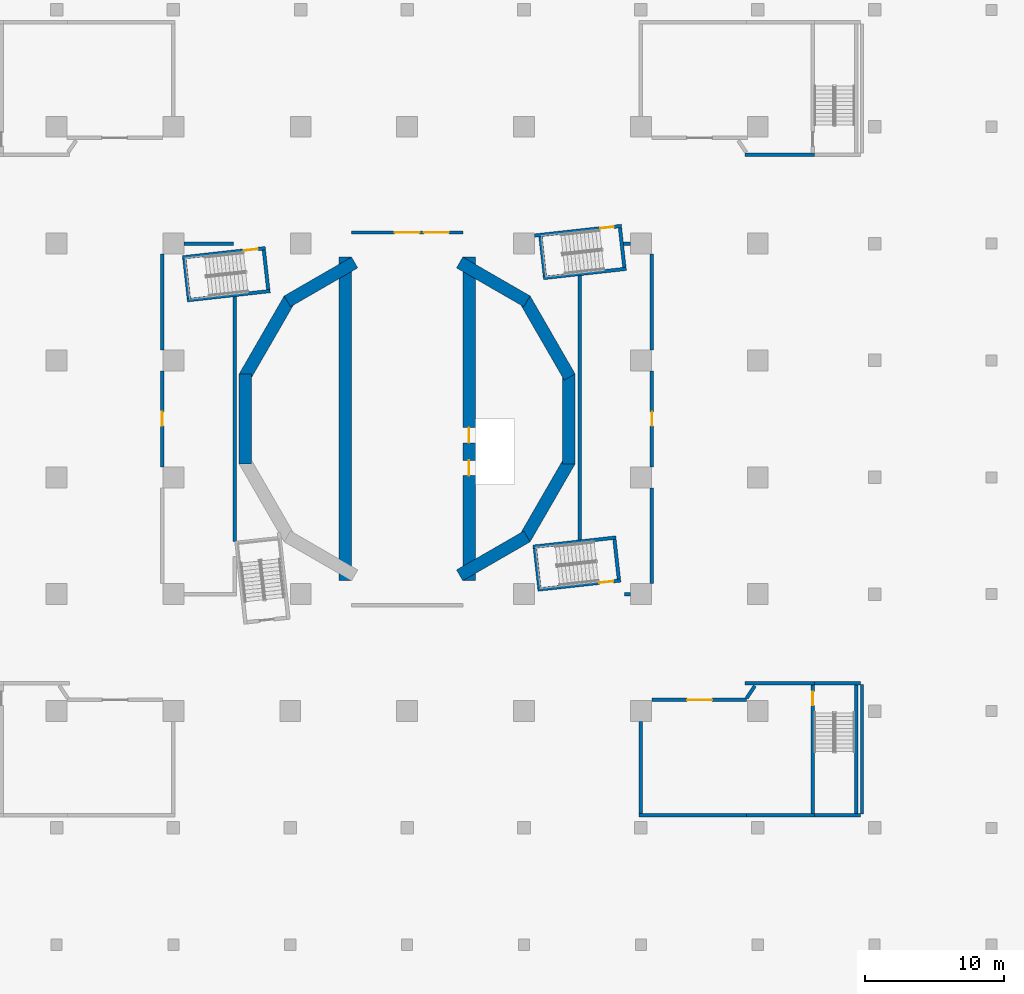
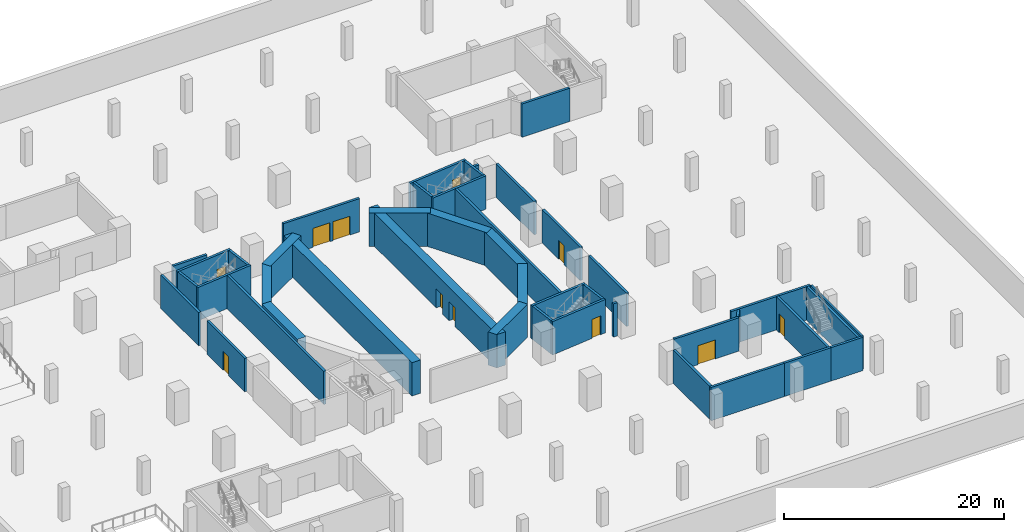
# One storey, part 6 of 18: 45 walls, 11 doors, 11 openings.
"""IFC4 building model written with IfcOpenShell, lengths in metres."""

from ifc_helpers import new_model, si_unit, direction, frame, frame_2d, origin, place, context, subcontext, project, spatial, rectangle, extrude, material, layer, layer_set, type_object, element, fill, save


model = new_model("IFC4")

# Units and contexts
model_context = context("Model", 3, precision=1e-05, world=origin(), true_north=direction((0.0, 1.0)))
body_context = subcontext(model_context, "Body", "Model", "MODEL_VIEW")
ifc_project = project(units=[si_unit("LENGTHUNIT", "METRE"), si_unit("AREAUNIT", "SQUARE_METRE"), si_unit("VOLUMEUNIT", "CUBIC_METRE"), si_unit("PLANEANGLEUNIT", "RADIAN"), si_unit("MASSUNIT", "GRAM", prefix="KILO")], contexts=[model_context])

# Site, building, storey
site_placement = place(None, origin())
site = spatial("IfcSite", under=ifc_project, at=site_placement, CompositionType="ELEMENT")
building_placement = place(site_placement, origin())
building = spatial("IfcBuilding", under=site, at=building_placement, Name="Cantera Rosa Tower", CompositionType="ELEMENT")
storey_placement = place(building_placement, frame((0.0, 0.0, -13.0)))
storey = spatial("IfcBuildingStorey", under=building, at=storey_placement, Name="B3", CompositionType="ELEMENT", Elevation=-13.0)

# Walls
ifc_material_1 = material(Name="Masonry blockwork", Category="masonry")
ifc_layer_1 = layer(ifc_material_1, 0.199951171875)
ifc_layer_set_1 = layer_set([ifc_layer_1], Name="Blockwork partition 200")
wall_type_1 = type_object("IfcWallType", Name="Blockwork partition 200", PredefinedType="PARTITIONING", material=ifc_layer_set_1)
wall_1_placement = place(storey_placement, frame((32.699951171875, -28.39990234375, 0.0), z_axis=(0.0, 0.0, 1.0), x_axis=(0.0, 1.0, 0.0)))
element("IfcWall", 1, at=wall_1_placement, inside=storey, type_object=wall_type_1, Name="Partition B3-32", PredefinedType="PARTITIONING", context=body_context, shape_type="SweptSolid", body=[
    extrude(rectangle(XDim=9.2998046875, YDim=0.199951171875, at=frame_2d((4.64990234375, 0.0))), origin(), (0.0, 0.0, 1.0), 3.699951171875),
])
ifc_material_2 = material(Name="Concrete C70/85", Category="concrete")
ifc_layer_2 = layer(ifc_material_2, 0.89990234375)
ifc_layer_set_2 = layer_set([ifc_layer_2], Name="Drum wall 900")
wall_type_2 = type_object("IfcWallType", Name="Drum wall 900", PredefinedType="SHEAR", material=ifc_layer_set_2)
wall_2_placement = place(storey_placement, frame((-11.6240234375, -3.2353515625, 0.0), z_axis=(0.0, 0.0, 1.0), x_axis=(0.0, 1.0, 0.0)))
element("IfcWall", 2, at=wall_2_placement, inside=storey, type_object=wall_type_2, Name="Drum wall west 3 B3", PredefinedType="SHEAR", context=body_context, shape_type="SweptSolid", body=[
    extrude(rectangle(XDim=6.470703125, YDim=0.89990234375, at=frame_2d((3.2353515625, 0.0))), origin(), (0.0, 0.0, 1.0), 3.699951171875),
])
wall_3_placement = place(storey_placement, frame((-11.684326171875, 3.01025390625, 0.0), z_axis=(0.0, 0.0, 1.0), x_axis=(0.499990282633, 0.866031014036, 0.0)))
element("IfcWall", 3, at=wall_3_placement, inside=storey, type_object=wall_type_2, Name="Drum wall west 4 B3", PredefinedType="SHEAR", context=body_context, shape_type="SweptSolid", body=[
    extrude(rectangle(XDim=6.470458984375, YDim=0.89990234375, at=frame_2d((3.2353515625, 0.0))), origin(), (0.0, 0.0, 1.0), 3.699951171875),
])
wall_4_placement = place(storey_placement, frame((-8.61376953125, 8.44921875, 0.0), z_axis=(0.0, 0.0, 1.0), x_axis=(0.866026961591, 0.49999730179, 0.0)))
element("IfcWall", 4, at=wall_4_placement, inside=storey, type_object=wall_type_2, Name="Drum wall west 5 B3", PredefinedType="SHEAR", context=body_context, shape_type="SweptSolid", body=[
    extrude(rectangle(XDim=5.58740234375, YDim=0.89990234375, at=frame_2d((2.793701171875, 0.0))), origin(), (0.0, 0.0, 1.0), 3.699951171875),
])
wall_5_placement = place(storey_placement, frame((-4.449951171875, 11.632568359375, 0.0), z_axis=(0.0, 0.0, 1.0), x_axis=(0.0, -1.0, 0.0)))
element("IfcWall", 5, at=wall_5_placement, inside=storey, type_object=wall_type_2, Name="Drum wall west 6 B3", PredefinedType="SHEAR", context=body_context, shape_type="SweptSolid", body=[
    extrude(rectangle(XDim=23.26513671875, YDim=0.89990234375, at=frame_2d((11.632568359375, 0.0))), origin(), (0.0, 0.0, 1.0), 3.699951171875),
])
wall_6_placement = place(storey_placement, frame((3.77490234375, 11.242919921875, 0.0), z_axis=(0.0, 0.0, 1.0), x_axis=(0.866026961591, -0.49999730179, 0.0)))
element("IfcWall", 6, at=wall_6_placement, inside=storey, type_object=wall_type_2, Name="Drum wall east 1 B3", PredefinedType="SHEAR", context=body_context, shape_type="SweptSolid", body=[
    extrude(rectangle(XDim=5.58740234375, YDim=0.89990234375, at=frame_2d((2.793701171875, 0.0))), origin(), (0.0, 0.0, 1.0), 3.699951171875),
])
wall_7_placement = place(storey_placement, frame((8.44921875, 8.61376953125, 0.0), z_axis=(0.0, 0.0, 1.0), x_axis=(0.499990282633, -0.866031014036, 0.0)))
element("IfcWall", 7, at=wall_7_placement, inside=storey, type_object=wall_type_2, Name="Drum wall east 2 B3", PredefinedType="SHEAR", context=body_context, shape_type="SweptSolid", body=[
    extrude(rectangle(XDim=6.470458984375, YDim=0.89990234375, at=frame_2d((3.2353515625, 0.0))), origin(), (0.0, 0.0, 1.0), 3.699951171875),
])
wall_8_placement = place(storey_placement, frame((11.6240234375, 3.2353515625, 0.0), z_axis=(0.0, 0.0, 1.0), x_axis=(0.0, -1.0, 0.0)))
element("IfcWall", 8, at=wall_8_placement, inside=storey, type_object=wall_type_2, Name="Drum wall east 3 B3", PredefinedType="SHEAR", context=body_context, shape_type="SweptSolid", body=[
    extrude(rectangle(XDim=6.470703125, YDim=0.89990234375, at=frame_2d((3.2353515625, 0.0))), origin(), (0.0, 0.0, 1.0), 3.699951171875),
])
wall_9_placement = place(storey_placement, frame((11.684326171875, -3.01025390625, 0.0), z_axis=(0.0, 0.0, 1.0), x_axis=(-0.499990282633, -0.866031014036, 0.0)))
element("IfcWall", 9, at=wall_9_placement, inside=storey, type_object=wall_type_2, Name="Drum wall east 4 B3", PredefinedType="SHEAR", context=body_context, shape_type="SweptSolid", body=[
    extrude(rectangle(XDim=6.470458984375, YDim=0.89990234375, at=frame_2d((3.2353515625, 0.0))), origin(), (0.0, 0.0, 1.0), 3.699951171875),
])
wall_10_placement = place(storey_placement, frame((8.61376953125, -8.44921875, 0.0), z_axis=(0.0, 0.0, 1.0), x_axis=(-0.866026961591, -0.49999730179, 0.0)))
element("IfcWall", 10, at=wall_10_placement, inside=storey, type_object=wall_type_2, Name="Drum wall east 5 B3", PredefinedType="SHEAR", context=body_context, shape_type="SweptSolid", body=[
    extrude(rectangle(XDim=5.58740234375, YDim=0.89990234375, at=frame_2d((2.793701171875, 0.0))), origin(), (0.0, 0.0, 1.0), 3.699951171875),
])

# Wall, openings, doors
wall_11_placement = place(storey_placement, frame((4.449951171875, -11.632568359375, 0.0), z_axis=(0.0, 0.0, 1.0), x_axis=(0.0, 1.0, 0.0)))
wall_11 = element("IfcWall", 11, at=wall_11_placement, inside=storey, type_object=wall_type_2, Name="Drum wall east 6 B3", PredefinedType="SHEAR", context=body_context, shape_type="SweptSolid", body=[
    extrude(rectangle(XDim=23.26513671875, YDim=0.89990234375, at=frame_2d((11.632568359375, 0.0))), origin(), (0.0, 0.0, 1.0), 3.699951171875),
])
opening_1_placement = place(wall_11_placement, frame((7.5576171875, 0.0, 0.0)))
opening_1 = element("IfcOpeningElement", 12, at=opening_1_placement, cuts=wall_11, Name="Opening LD-FF1-B3", PredefinedType="OPENING", context=body_context, shape_type="SweptSolid", body=[
    extrude(rectangle(XDim=1.10009765625, YDim=2.10009765625, at=frame_2d((0.550048828125, 1.050048828125))), frame((0.0, 0.4599609375, 0.0), z_axis=(0.0, -1.0, 0.0), x_axis=(1.0, 0.0, 0.0)), (0.0, 0.0, 1.0), 0.919921875),
])
opening_2_placement = place(wall_11_placement, frame((9.907470703125, 0.0, 0.0)))
opening_2 = element("IfcOpeningElement", 13, at=opening_2_placement, cuts=wall_11, Name="Opening LD-FF2-B3", PredefinedType="OPENING", context=body_context, shape_type="SweptSolid", body=[
    extrude(rectangle(XDim=1.10009765625, YDim=2.10009765625, at=frame_2d((0.550048828125, 1.050048828125))), frame((0.0, 0.4599609375, 0.0), z_axis=(0.0, -1.0, 0.0), x_axis=(1.0, 0.0, 0.0)), (0.0, 0.0, 1.0), 0.919921875),
])
ifc_material_3 = material(Name="Steel S355J2 (EN 10025-2)", Category="steel")
door_type_1 = type_object("IfcDoorType", Name="LANDING DOOR 1100x2100", OperationType="NOTDEFINED", PredefinedType="DOOR", material=ifc_material_3)
door_1_placement = place(opening_1_placement, origin())
door_1 = element("IfcDoor", 14, at=door_1_placement, inside=storey, type_object=door_type_1, Name="LANDING DOOR FF1 B3", OperationType="SLIDING_TO_LEFT", OverallHeight=2.10009765625, OverallWidth=1.10009765625, PredefinedType="DOOR", context=body_context, shape_type="SweptSolid", body=[
    extrude(rectangle(XDim=1.10009765625, YDim=2.10009765625, at=frame_2d((0.550048828125, 1.050048828125))), frame((0.0, 0.02490234375, 0.0), z_axis=(0.0, -1.0, 0.0), x_axis=(1.0, 0.0, 0.0)), (0.0, 0.0, 1.0), 0.050048828125),
])
fill(opening_1, door_1)
door_2_placement = place(opening_2_placement, origin())
door_2 = element("IfcDoor", 15, at=door_2_placement, inside=storey, type_object=door_type_1, Name="LANDING DOOR FF2 B3", OperationType="SLIDING_TO_LEFT", OverallHeight=2.10009765625, OverallWidth=1.10009765625, PredefinedType="DOOR", context=body_context, shape_type="SweptSolid", body=[
    extrude(rectangle(XDim=1.10009765625, YDim=2.10009765625, at=frame_2d((0.550048828125, 1.050048828125))), frame((0.0, 0.02490234375, 0.0), z_axis=(0.0, -1.0, 0.0), x_axis=(1.0, 0.0, 0.0)), (0.0, 0.0, 1.0), 0.050048828125),
])
fill(opening_2, door_2)

# Walls
ifc_material_4 = material(Name="Concrete C50/60", Category="concrete")
ifc_layer_3 = layer(ifc_material_4, 0.25)
ifc_layer_set_3 = layer_set([ifc_layer_3], Name="External stair wall 250")
wall_type_3 = type_object("IfcWallType", Name="External stair wall 250", PredefinedType="SOLIDWALL", material=ifc_layer_set_3)
for number, where, z_axis, x_axis, name in (
    (16, (29.27490234375, -19.0, 0.0), (0.0, 0.0, 1.0), (1.0, 0.0, 0.0), "Stair wall B3-54"),
    (17, (32.60009765625, -28.5, 0.0), (0.0, 0.0, 1.0), (-1.0, 0.0, 0.0), "Stair wall B3-61"),
):
    element("IfcWall", number, at=place(storey_placement, frame(where, z_axis=z_axis, x_axis=x_axis)), inside=storey, type_object=wall_type_3, Name=name, PredefinedType="SOLIDWALL", context=body_context, shape_type="SweptSolid", body=[
        extrude(rectangle(XDim=3.3251953125, YDim=0.25, at=frame_2d((1.66259765625, 0.0))), origin(), (0.0, 0.0, 1.0), 3.699951171875),
    ])
ifc_material_5 = material(Name="Masonry blockwork", Category="masonry")
ifc_layer_4 = layer(ifc_material_5, 0.25)
ifc_layer_set_4 = layer_set([ifc_layer_4], Name="Fire-rated external wall 250")
wall_type_4 = type_object("IfcWallType", Name="Fire-rated external wall 250", PredefinedType="PARTITIONING", material=ifc_layer_set_4)
wall_12_placement = place(storey_placement, frame((15.613525390625, -12.60009765625, 0.0), z_axis=(0.0, 0.0, 1.0), x_axis=(1.0, 0.0, 0.0)))
element("IfcWall", 18, at=wall_12_placement, inside=storey, type_object=wall_type_4, Name="Fire wall B3-7", PredefinedType="PARTITIONING", context=body_context, shape_type="SweptSolid", body=[
    extrude(rectangle(XDim=0.4365234375, YDim=0.25, at=frame_2d((0.21826171875, 0.0))), origin(), (0.0, 0.0, 1.0), 3.699951171875),
])
wall_13_placement = place(storey_placement, frame((12.39990234375, -8.6923828125, 0.0), z_axis=(0.0, 0.0, 1.0), x_axis=(0.0, 1.0, 0.0)))
element("IfcWall", 19, at=wall_13_placement, inside=storey, type_object=wall_type_4, Name="Fire wall B3-8", PredefinedType="PARTITIONING", context=body_context, shape_type="SweptSolid", body=[
    extrude(rectangle(XDim=18.98486328125, YDim=0.25, at=frame_2d((9.492431640625, 0.0))), origin(), (0.0, 0.0, 1.0), 3.699951171875),
])
wall_14_placement = place(storey_placement, frame((-16.050048828125, 12.60009765625, 0.0), z_axis=(0.0, 0.0, 1.0), x_axis=(1.0, 0.0, 0.0)))
element("IfcWall", 20, at=wall_14_placement, inside=storey, type_object=wall_type_4, Name="Fire wall B3-9", PredefinedType="PARTITIONING", context=body_context, shape_type="SweptSolid", body=[
    extrude(rectangle(XDim=3.560546875, YDim=0.25, at=frame_2d((1.7802734375, 0.0))), origin(), (0.0, 0.0, 1.0), 3.699951171875),
])
wall_15_placement = place(storey_placement, frame((15.5517578125, 12.60009765625, 0.0), z_axis=(0.0, 0.0, 1.0), x_axis=(1.0, 0.0, 0.0)))
element("IfcWall", 21, at=wall_15_placement, inside=storey, type_object=wall_type_4, Name="Fire wall B3-10", PredefinedType="PARTITIONING", context=body_context, shape_type="SweptSolid", body=[
    extrude(rectangle(XDim=0.498291015625, YDim=0.25, at=frame_2d((0.2490234375, 0.0))), origin(), (0.0, 0.0, 1.0), 3.699951171875),
])
wall_16_placement = place(storey_placement, frame((-12.39990234375, -8.7998046875, 0.0), z_axis=(0.0, 0.0, 1.0), x_axis=(0.0, 1.0, 0.0)))
element("IfcWall", 22, at=wall_16_placement, inside=storey, type_object=wall_type_4, Name="Fire wall B3-15", PredefinedType="PARTITIONING", context=body_context, shape_type="SweptSolid", body=[
    extrude(rectangle(XDim=17.5810546875, YDim=0.25, at=frame_2d((8.79052734375, 0.0))), origin(), (0.0, 0.0, 1.0), 3.699951171875),
])
wall_17_placement = place(storey_placement, frame((24.27490234375, 19.0, 0.0), z_axis=(0.0, 0.0, 1.0), x_axis=(1.0, 0.0, 0.0)))
element("IfcWall", 23, at=wall_17_placement, inside=storey, type_object=wall_type_4, Name="Fire wall B3-30", PredefinedType="PARTITIONING", context=body_context, shape_type="SweptSolid", body=[
    extrude(rectangle(XDim=5.0, YDim=0.25, at=frame_2d((2.5, 0.0))), origin(), (0.0, 0.0, 1.0), 3.699951171875),
])
wall_18_placement = place(storey_placement, frame((16.800048828125, -28.375, 0.0), z_axis=(0.0, 0.0, 1.0), x_axis=(0.0, 1.0, 0.0)))
element("IfcWall", 24, at=wall_18_placement, inside=storey, type_object=wall_type_4, Name="Fire wall B3-34", PredefinedType="PARTITIONING", context=body_context, shape_type="SweptSolid", body=[
    extrude(rectangle(XDim=6.625, YDim=0.25, at=frame_2d((3.3125, 0.0))), origin(), (0.0, 0.0, 1.0), 3.699951171875),
])
wall_19_placement = place(storey_placement, frame((24.27490234375, -19.0, 0.0), z_axis=(0.0, 0.0, 1.0), x_axis=(1.0, 0.0, 0.0)))
element("IfcWall", 25, at=wall_19_placement, inside=storey, type_object=wall_type_4, Name="Fire wall B3-53", PredefinedType="PARTITIONING", context=body_context, shape_type="SweptSolid", body=[
    extrude(rectangle(XDim=5.0, YDim=0.25, at=frame_2d((2.5, 0.0))), origin(), (0.0, 0.0, 1.0), 3.699951171875),
])
wall_20_placement = place(storey_placement, frame((16.675048828125, -28.5, 0.0), z_axis=(0.0, 0.0, 1.0), x_axis=(1.0, 0.0, 0.0)))
element("IfcWall", 26, at=wall_20_placement, inside=storey, type_object=wall_type_4, Name="Fire wall B3-59", PredefinedType="PARTITIONING", context=body_context, shape_type="SweptSolid", body=[
    extrude(rectangle(XDim=7.724853515625, YDim=0.25, at=frame_2d((3.8623046875, 0.0))), origin(), (0.0, 0.0, 1.0), 3.699951171875),
])
wall_21_placement = place(storey_placement, frame((24.39990234375, -28.5, 0.0), z_axis=(0.0, 0.0, 1.0), x_axis=(1.0, 0.0, 0.0)))
element("IfcWall", 27, at=wall_21_placement, inside=storey, type_object=wall_type_4, Name="Fire wall B3-60", PredefinedType="PARTITIONING", context=body_context, shape_type="SweptSolid", body=[
    extrude(rectangle(XDim=4.875, YDim=0.25, at=frame_2d((2.4375, 0.0))), origin(), (0.0, 0.0, 1.0), 3.699951171875),
])

# Wall, openings, doors
ifc_material_6 = material(Name="Masonry blockwork", Category="masonry")
ifc_layer_5 = layer(ifc_material_6, 0.25)
ifc_layer_set_5 = layer_set([ifc_layer_5], Name="Fire-rated wall 250")
wall_type_5 = type_object("IfcWallType", Name="Fire-rated wall 250", PredefinedType="PARTITIONING", material=ifc_layer_set_5)
wall_22_placement = place(storey_placement, frame((-4.0, 13.39990234375, 0.0), z_axis=(0.0, 0.0, 1.0), x_axis=(1.0, 0.0, 0.0)))
wall_22 = element("IfcWall", 28, at=wall_22_placement, inside=storey, type_object=wall_type_5, Name="Fire wall B3-1", PredefinedType="PARTITIONING", context=body_context, shape_type="SweptSolid", body=[
    extrude(rectangle(XDim=8.0, YDim=0.25, at=frame_2d((4.0, 0.0))), origin(), (0.0, 0.0, 1.0), 3.699951171875),
])
opening_3_placement = place(wall_22_placement, frame((3.10009765625, 0.0, 0.0)))
opening_3 = element("IfcOpeningElement", 29, at=opening_3_placement, cuts=wall_22, Name="Opening B3-009", PredefinedType="OPENING", context=body_context, shape_type="SweptSolid", body=[
    extrude(rectangle(XDim=1.800048828125, YDim=2.10009765625, at=frame_2d((0.89990234375, 1.050048828125))), frame((0.0, 0.135009765625, 0.0), z_axis=(0.0, -1.0, 0.0), x_axis=(1.0, 0.0, 0.0)), (0.0, 0.0, 1.0), 0.27001953125),
])
opening_4_placement = place(wall_22_placement, frame((5.199951171875, 0.0, 0.0)))
opening_4 = element("IfcOpeningElement", 30, at=opening_4_placement, cuts=wall_22, Name="Opening B3-010", PredefinedType="OPENING", context=body_context, shape_type="SweptSolid", body=[
    extrude(rectangle(XDim=1.800048828125, YDim=2.10009765625, at=frame_2d((0.89990234375, 1.050048828125))), frame((0.0, 0.135009765625, 0.0), z_axis=(0.0, -1.0, 0.0), x_axis=(1.0, 0.0, 0.0)), (0.0, 0.0, 1.0), 0.27001953125),
])
ifc_material_7 = material(Name="Steel S355J2 (EN 10025-2)", Category="steel")
door_type_2 = type_object("IfcDoorType", Name="Fire double door 1800x2100", OperationType="NOTDEFINED", PredefinedType="DOOR", material=ifc_material_7)
door_3_placement = place(opening_3_placement, origin())
door_3 = element("IfcDoor", 31, at=door_3_placement, inside=storey, type_object=door_type_2, Name="Door B3-009", OperationType="DOUBLE_DOOR_SINGLE_SWING", OverallHeight=2.10009765625, OverallWidth=1.800048828125, PredefinedType="DOOR", context=body_context, shape_type="SweptSolid", body=[
    extrude(rectangle(XDim=1.800048828125, YDim=2.10009765625, at=frame_2d((0.89990234375, 1.050048828125))), frame((0.0, 0.02490234375, 0.0), z_axis=(0.0, -1.0, 0.0), x_axis=(1.0, 0.0, 0.0)), (0.0, 0.0, 1.0), 0.050048828125),
])
fill(opening_3, door_3)
door_4_placement = place(opening_4_placement, origin())
door_4 = element("IfcDoor", 32, at=door_4_placement, inside=storey, type_object=door_type_2, Name="Door B3-010", OperationType="DOUBLE_DOOR_SINGLE_SWING", OverallHeight=2.10009765625, OverallWidth=1.800048828125, PredefinedType="DOOR", context=body_context, shape_type="SweptSolid", body=[
    extrude(rectangle(XDim=1.800048828125, YDim=2.10009765625, at=frame_2d((0.89990234375, 1.050048828125))), frame((0.0, 0.02490234375, 0.0), z_axis=(0.0, -1.0, 0.0), x_axis=(1.0, 0.0, 0.0)), (0.0, 0.0, 1.0), 0.050048828125),
])
fill(opening_4, door_4)

# Wall
wall_23_placement = place(storey_placement, frame((17.60009765625, -11.85009765625, 0.0), z_axis=(0.0, 0.0, 1.0), x_axis=(0.0, 1.0, 0.0)))
element("IfcWall", 33, at=wall_23_placement, inside=storey, type_object=wall_type_5, Name="Fire wall B3-3", PredefinedType="PARTITIONING", context=body_context, shape_type="SweptSolid", body=[
    extrude(rectangle(XDim=6.900146484375, YDim=0.25, at=frame_2d((3.4501953125, 0.0))), origin(), (0.0, 0.0, 1.0), 3.699951171875),
])

# Wall, opening, door
wall_24_placement = place(storey_placement, frame((17.60009765625, -3.449951171875, 0.0), z_axis=(0.0, 0.0, 1.0), x_axis=(0.0, 1.0, 0.0)))
wall_24 = element("IfcWall", 34, at=wall_24_placement, inside=storey, type_object=wall_type_5, Name="Fire wall B3-4", PredefinedType="PARTITIONING", context=body_context, shape_type="SweptSolid", body=[
    extrude(rectangle(XDim=6.89990234375, YDim=0.25, at=frame_2d((3.449951171875, 0.0))), origin(), (0.0, 0.0, 1.0), 3.699951171875),
])
opening_5_placement = place(wall_24_placement, frame((2.949951171875, 0.0, 0.0)))
opening_5 = element("IfcOpeningElement", 35, at=opening_5_placement, cuts=wall_24, Name="Opening B3-011", PredefinedType="OPENING", context=body_context, shape_type="SweptSolid", body=[
    extrude(rectangle(XDim=1.0, YDim=2.10009765625, at=frame_2d((0.5, 1.050048828125))), frame((0.0, 0.135009765625, 0.0), z_axis=(0.0, -1.0, 0.0), x_axis=(1.0, 0.0, 0.0)), (0.0, 0.0, 1.0), 0.27001953125),
])
ifc_material_8 = material(Name="Steel S355J2 (EN 10025-2)", Category="steel")
door_type_3 = type_object("IfcDoorType", Name="Fire door 1000x2100", OperationType="NOTDEFINED", PredefinedType="DOOR", material=ifc_material_8)
door_5_placement = place(opening_5_placement, origin())
door_5 = element("IfcDoor", 36, at=door_5_placement, inside=storey, type_object=door_type_3, Name="Door B3-011", OverallHeight=2.10009765625, OverallWidth=1.0, PredefinedType="DOOR", context=body_context, shape_type="SweptSolid", body=[
    extrude(rectangle(XDim=1.0, YDim=2.10009765625, at=frame_2d((0.5, 1.050048828125))), frame((0.0, 0.02490234375, 0.0), z_axis=(0.0, -1.0, 0.0), x_axis=(1.0, 0.0, 0.0)), (0.0, 0.0, 1.0), 0.050048828125),
])
fill(opening_5, door_5)

# Wall
wall_25_placement = place(storey_placement, frame((17.60009765625, 4.949951171875, 0.0), z_axis=(0.0, 0.0, 1.0), x_axis=(0.0, 1.0, 0.0)))
element("IfcWall", 37, at=wall_25_placement, inside=storey, type_object=wall_type_5, Name="Fire wall B3-5", PredefinedType="PARTITIONING", context=body_context, shape_type="SweptSolid", body=[
    extrude(rectangle(XDim=6.900146484375, YDim=0.25, at=frame_2d((3.4501953125, 0.0))), origin(), (0.0, 0.0, 1.0), 3.699951171875),
])

# Wall, opening, door
wall_26_placement = place(storey_placement, frame((-17.60009765625, -3.449951171875, 0.0), z_axis=(0.0, 0.0, 1.0), x_axis=(0.0, 1.0, 0.0)))
wall_26 = element("IfcWall", 38, at=wall_26_placement, inside=storey, type_object=wall_type_5, Name="Fire wall B3-12", PredefinedType="PARTITIONING", context=body_context, shape_type="SweptSolid", body=[
    extrude(rectangle(XDim=6.89990234375, YDim=0.25, at=frame_2d((3.449951171875, 0.0))), origin(), (0.0, 0.0, 1.0), 3.699951171875),
])
opening_6_placement = place(wall_26_placement, frame((2.949951171875, 0.0, 0.0)))
opening_6 = element("IfcOpeningElement", 39, at=opening_6_placement, cuts=wall_26, Name="Opening B3-012", PredefinedType="OPENING", context=body_context, shape_type="SweptSolid", body=[
    extrude(rectangle(XDim=1.0, YDim=2.10009765625, at=frame_2d((0.5, 1.050048828125))), frame((0.0, 0.135009765625, 0.0), z_axis=(0.0, -1.0, 0.0), x_axis=(1.0, 0.0, 0.0)), (0.0, 0.0, 1.0), 0.27001953125),
])
door_6_placement = place(opening_6_placement, origin())
door_6 = element("IfcDoor", 40, at=door_6_placement, inside=storey, type_object=door_type_3, Name="Door B3-012", OverallHeight=2.10009765625, OverallWidth=1.0, PredefinedType="DOOR", context=body_context, shape_type="SweptSolid", body=[
    extrude(rectangle(XDim=1.0, YDim=2.10009765625, at=frame_2d((0.5, 1.050048828125))), frame((0.0, 0.02490234375, 0.0), z_axis=(0.0, -1.0, 0.0), x_axis=(1.0, 0.0, 0.0)), (0.0, 0.0, 1.0), 0.050048828125),
])
fill(opening_6, door_6)

# Walls
wall_27_placement = place(storey_placement, frame((-17.60009765625, 4.949951171875, 0.0), z_axis=(0.0, 0.0, 1.0), x_axis=(0.0, 1.0, 0.0)))
element("IfcWall", 41, at=wall_27_placement, inside=storey, type_object=wall_type_5, Name="Fire wall B3-13", PredefinedType="PARTITIONING", context=body_context, shape_type="SweptSolid", body=[
    extrude(rectangle(XDim=6.900146484375, YDim=0.25, at=frame_2d((3.4501953125, 0.0))), origin(), (0.0, 0.0, 1.0), 3.699951171875),
])
wall_28_placement = place(storey_placement, frame((24.39990234375, -20.074951171875, 0.0), z_axis=(0.0, 0.0, 1.0), x_axis=(0.559343029511, 0.828936291483, 0.0)))
element("IfcWall", 42, at=wall_28_placement, inside=storey, type_object=wall_type_5, Name="Fire wall B3-36", PredefinedType="PARTITIONING", context=body_context, shape_type="SweptSolid", body=[
    extrude(rectangle(XDim=1.06591796875, YDim=0.25, at=frame_2d((0.532958984375, 0.0))), origin(), (0.0, 0.0, 1.0), 3.699951171875),
])

# Wall, opening, door
wall_29_placement = place(storey_placement, frame((17.60009765625, -20.199951171875, 0.0), z_axis=(0.0, 0.0, 1.0), x_axis=(1.0, 0.0, 0.0)))
wall_29 = element("IfcWall", 43, at=wall_29_placement, inside=storey, type_object=wall_type_5, Name="Fire wall B3-63", PredefinedType="PARTITIONING", context=body_context, shape_type="SweptSolid", body=[
    extrude(rectangle(XDim=6.809814453125, YDim=0.25, at=frame_2d((3.40478515625, 0.0))), origin(), (0.0, 0.0, 1.0), 3.699951171875),
])
opening_7_placement = place(wall_29_placement, frame((2.52490234375, 0.0, 0.0)))
opening_7 = element("IfcOpeningElement", 44, at=opening_7_placement, cuts=wall_29, Name="Opening B3-005", PredefinedType="OPENING", context=body_context, shape_type="SweptSolid", body=[
    extrude(rectangle(XDim=1.800048828125, YDim=2.10009765625, at=frame_2d((0.89990234375, 1.050048828125))), frame((0.0, 0.135009765625, 0.0), z_axis=(0.0, -1.0, 0.0), x_axis=(1.0, 0.0, 0.0)), (0.0, 0.0, 1.0), 0.27001953125),
])
door_7_placement = place(opening_7_placement, origin())
door_7 = element("IfcDoor", 45, at=door_7_placement, inside=storey, type_object=door_type_2, Name="Door B3-005", OperationType="DOUBLE_DOOR_SINGLE_SWING", OverallHeight=2.10009765625, OverallWidth=1.800048828125, PredefinedType="DOOR", context=body_context, shape_type="SweptSolid", body=[
    extrude(rectangle(XDim=1.800048828125, YDim=2.10009765625, at=frame_2d((0.89990234375, 1.050048828125))), frame((0.0, 0.02490234375, 0.0), z_axis=(0.0, -1.0, 0.0), x_axis=(1.0, 0.0, 0.0)), (0.0, 0.0, 1.0), 0.050048828125),
])
fill(opening_7, door_7)

# Wall
ifc_material_9 = material(Name="Concrete C50/60", Category="concrete")
ifc_layer_6 = layer(ifc_material_9, 0.25)
ifc_layer_set_6 = layer_set([ifc_layer_6], Name="RC stair wall 250 C50/60")
wall_type_6 = type_object("IfcWallType", Name="RC stair wall 250", PredefinedType="SOLIDWALL", material=ifc_layer_set_6)
wall_30_placement = place(storey_placement, frame((32.300048828125, -28.375, 0.0), z_axis=(0.0, 0.0, 1.0), x_axis=(0.0, 1.0, 0.0)))
element("IfcWall", 46, at=wall_30_placement, inside=storey, type_object=wall_type_6, Name="Stair wall B3-16", PredefinedType="SOLIDWALL", context=body_context, shape_type="SweptSolid", body=[
    extrude(rectangle(XDim=9.25, YDim=0.25, at=frame_2d((4.625, 0.0))), origin(), (0.0, 0.0, 1.0), 3.699951171875),
])

# Wall, opening, door
wall_31_placement = place(storey_placement, frame((29.14990234375, -28.375, 0.0), z_axis=(0.0, 0.0, 1.0), x_axis=(0.0, 1.0, 0.0)))
wall_31 = element("IfcWall", 47, at=wall_31_placement, inside=storey, type_object=wall_type_6, Name="Stair wall B3-25", PredefinedType="SOLIDWALL", context=body_context, shape_type="SweptSolid", body=[
    extrude(rectangle(XDim=9.25, YDim=0.25, at=frame_2d((4.625, 0.0))), origin(), (0.0, 0.0, 1.0), 3.699951171875),
])
opening_8_placement = place(wall_31_placement, frame((7.77490234375, 0.0, 0.0)))
opening_8 = element("IfcOpeningElement", 48, at=opening_8_placement, cuts=wall_31, Name="Opening B3-006", PredefinedType="OPENING", context=body_context, shape_type="SweptSolid", body=[
    extrude(rectangle(XDim=1.0, YDim=2.10009765625, at=frame_2d((0.5, 1.050048828125))), frame((0.0, 0.135009765625, 0.0), z_axis=(0.0, -1.0, 0.0), x_axis=(1.0, 0.0, 0.0)), (0.0, 0.0, 1.0), 0.27001953125),
])
ifc_material_10 = material(Name="Steel S355J2 (EN 10025-2)", Category="steel")
door_type_4 = type_object("IfcDoorType", Name="Fire door 1000x2100 EI 120", OperationType="NOTDEFINED", PredefinedType="DOOR", material=ifc_material_10)
door_8_placement = place(opening_8_placement, origin())
door_8 = element("IfcDoor", 49, at=door_8_placement, inside=storey, type_object=door_type_4, Name="Door B3-006", OverallHeight=2.10009765625, OverallWidth=1.0, PredefinedType="DOOR", context=body_context, shape_type="SweptSolid", body=[
    extrude(rectangle(XDim=1.0, YDim=2.10009765625, at=frame_2d((0.5, 1.050048828125))), frame((0.0, 0.02490234375, 0.0), z_axis=(0.0, -1.0, 0.0), x_axis=(1.0, 0.0, 0.0)), (0.0, 0.0, 1.0), 0.050048828125),
])
fill(opening_8, door_8)

# Walls
wall_32_placement = place(storey_placement, frame((15.30029296875, 13.7333984375, 0.0), z_axis=(0.0, 0.0, 1.0), x_axis=(0.110252878147, -0.99390356819, 0.0)))
element("IfcWall", 50, at=wall_32_placement, inside=storey, type_object=wall_type_6, Name="Stair wall ST-11 B3-1", PredefinedType="SOLIDWALL", context=body_context, shape_type="SweptSolid", body=[
    extrude(rectangle(XDim=2.849853515625, YDim=0.25, at=frame_2d((1.4248046875, 0.0))), origin(), (0.0, 0.0, 1.0), 3.699951171875),
])
wall_33_placement = place(storey_placement, frame((15.752685546875, 10.790283203125, 0.0), z_axis=(0.0, 0.0, 1.0), x_axis=(-0.993897125329, -0.110310943534, 0.0)))
element("IfcWall", 51, at=wall_33_placement, inside=storey, type_object=wall_type_6, Name="Stair wall ST-11 B3-2", PredefinedType="SOLIDWALL", context=body_context, shape_type="SweptSolid", body=[
    extrude(rectangle(XDim=6.0, YDim=0.25, at=frame_2d((3.0, 0.0))), origin(), (0.0, 0.0, 1.0), 3.699951171875),
])
wall_34_placement = place(storey_placement, frame((9.899658203125, 10.2666015625, 0.0), z_axis=(0.0, 0.0, 1.0), x_axis=(-0.110252878147, 0.99390356819, 0.0)))
element("IfcWall", 52, at=wall_34_placement, inside=storey, type_object=wall_type_6, Name="Stair wall ST-11 B3-3", PredefinedType="SOLIDWALL", context=body_context, shape_type="SweptSolid", body=[
    extrude(rectangle(XDim=2.849853515625, YDim=0.25, at=frame_2d((1.4248046875, 0.0))), origin(), (0.0, 0.0, 1.0), 3.699951171875),
])

# Wall, opening, door
wall_35_placement = place(storey_placement, frame((9.162353515625, 13.177978515625, 0.0), z_axis=(0.0, 0.0, 1.0), x_axis=(0.993895095647, 0.110329229349, 0.0)))
wall_35 = element("IfcWall", 53, at=wall_35_placement, inside=storey, type_object=wall_type_6, Name="Stair wall ST-11 B3-4", PredefinedType="SOLIDWALL", context=body_context, shape_type="SweptSolid", body=[
    extrude(rectangle(XDim=6.28662109375, YDim=0.25, at=frame_2d((3.143310546875, 0.0))), origin(), (0.0, 0.0, 1.0), 3.699951171875),
])
opening_9_placement = place(wall_35_placement, frame((4.736572265625, 0.0, 0.0)))
opening_9 = element("IfcOpeningElement", 54, at=opening_9_placement, cuts=wall_35, Name="Opening B3-ST-11", PredefinedType="OPENING", context=body_context, shape_type="SweptSolid", body=[
    extrude(rectangle(XDim=1.0, YDim=2.10009765625, at=frame_2d((0.5, 1.050048828125))), frame((0.0, 0.135009765625, 0.0), z_axis=(0.0, -1.0, 0.0), x_axis=(1.0, 0.0, 0.0)), (0.0, 0.0, 1.0), 0.27001953125),
])
door_9_placement = place(opening_9_placement, origin())
door_9 = element("IfcDoor", 55, at=door_9_placement, inside=storey, type_object=door_type_4, Name="Door B3-ST-11", OverallHeight=2.10009765625, OverallWidth=1.0, PredefinedType="DOOR", context=body_context, shape_type="SweptSolid", body=[
    extrude(rectangle(XDim=1.0, YDim=2.10009765625, at=frame_2d((0.5, 1.050048828125))), frame((0.0, 0.02490234375, 0.0), z_axis=(0.0, -1.0, 0.0), x_axis=(1.0, 0.0, 0.0)), (0.0, 0.0, 1.0), 0.050048828125),
])
fill(opening_9, door_9)

# Walls
wall_36_placement = place(storey_placement, frame((-10.2998046875, 12.133544921875, 0.0), z_axis=(0.0, 0.0, 1.0), x_axis=(0.110328108544, -0.993895220063, 0.0)))
element("IfcWall", 56, at=wall_36_placement, inside=storey, type_object=wall_type_6, Name="Stair wall ST-12 B3-1", PredefinedType="SOLIDWALL", context=body_context, shape_type="SweptSolid", body=[
    extrude(rectangle(XDim=2.85009765625, YDim=0.25, at=frame_2d((1.425048828125, 0.0))), origin(), (0.0, 0.0, 1.0), 3.699951171875),
])
wall_37_placement = place(storey_placement, frame((-9.847412109375, 9.1904296875, 0.0), z_axis=(0.0, 0.0, 1.0), x_axis=(-0.993897125329, -0.110310943534, 0.0)))
element("IfcWall", 57, at=wall_37_placement, inside=storey, type_object=wall_type_6, Name="Stair wall ST-12 B3-2", PredefinedType="SOLIDWALL", context=body_context, shape_type="SweptSolid", body=[
    extrude(rectangle(XDim=6.0, YDim=0.25, at=frame_2d((3.0, 0.0))), origin(), (0.0, 0.0, 1.0), 3.699951171875),
])
wall_38_placement = place(storey_placement, frame((-15.7001953125, 8.66650390625, 0.0), z_axis=(0.0, 0.0, 1.0), x_axis=(-0.110328108544, 0.993895220063, 0.0)))
element("IfcWall", 58, at=wall_38_placement, inside=storey, type_object=wall_type_6, Name="Stair wall ST-12 B3-3", PredefinedType="SOLIDWALL", context=body_context, shape_type="SweptSolid", body=[
    extrude(rectangle(XDim=2.85009765625, YDim=0.25, at=frame_2d((1.425048828125, 0.0))), origin(), (0.0, 0.0, 1.0), 3.699951171875),
])

# Wall, opening, door
wall_39_placement = place(storey_placement, frame((-16.152587890625, 11.609619140625, 0.0), z_axis=(0.0, 0.0, 1.0), x_axis=(0.993897125329, 0.110310943534, 0.0)))
wall_39 = element("IfcWall", 59, at=wall_39_placement, inside=storey, type_object=wall_type_6, Name="Stair wall ST-12 B3-4", PredefinedType="SOLIDWALL", context=body_context, shape_type="SweptSolid", body=[
    extrude(rectangle(XDim=6.0, YDim=0.25, at=frame_2d((3.0, 0.0))), origin(), (0.0, 0.0, 1.0), 3.699951171875),
])
opening_10_placement = place(wall_39_placement, frame((4.449951171875, 0.0, 0.0)))
opening_10 = element("IfcOpeningElement", 60, at=opening_10_placement, cuts=wall_39, Name="Opening B3-ST-12", PredefinedType="OPENING", context=body_context, shape_type="SweptSolid", body=[
    extrude(rectangle(XDim=1.0, YDim=2.10009765625, at=frame_2d((0.5, 1.050048828125))), frame((0.0, 0.135009765625, 0.0), z_axis=(0.0, -1.0, 0.0), x_axis=(1.0, 0.0, 0.0)), (0.0, 0.0, 1.0), 0.27001953125),
])
door_10_placement = place(opening_10_placement, origin())
door_10 = element("IfcDoor", 61, at=door_10_placement, inside=storey, type_object=door_type_4, Name="Door B3-ST-12", OverallHeight=2.10009765625, OverallWidth=1.0, PredefinedType="DOOR", context=body_context, shape_type="SweptSolid", body=[
    extrude(rectangle(XDim=1.0, YDim=2.10009765625, at=frame_2d((0.5, 1.050048828125))), frame((0.0, 0.02490234375, 0.0), z_axis=(0.0, -1.0, 0.0), x_axis=(1.0, 0.0, 0.0)), (0.0, 0.0, 1.0), 0.050048828125),
])
fill(opening_10, door_10)

# Wall
wall_40_placement = place(storey_placement, frame((14.900390625, -8.66650390625, 0.0), z_axis=(0.0, 0.0, 1.0), x_axis=(0.110243491536, -0.993904609394, 0.0)))
element("IfcWall", 62, at=wall_40_placement, inside=storey, type_object=wall_type_6, Name="Stair wall ST-14 B3-1", PredefinedType="SOLIDWALL", context=body_context, shape_type="SweptSolid", body=[
    extrude(rectangle(XDim=2.85009765625, YDim=0.25, at=frame_2d((1.425048828125, 0.0))), origin(), (0.0, 0.0, 1.0), 3.699951171875),
])

# Wall, opening, door
wall_41_placement = place(storey_placement, frame((15.352783203125, -11.609619140625, 0.0), z_axis=(0.0, 0.0, 1.0), x_axis=(-0.993897125329, -0.110310943534, 0.0)))
wall_41 = element("IfcWall", 63, at=wall_41_placement, inside=storey, type_object=wall_type_6, Name="Stair wall ST-14 B3-2", PredefinedType="SOLIDWALL", context=body_context, shape_type="SweptSolid", body=[
    extrude(rectangle(XDim=6.0, YDim=0.25, at=frame_2d((3.0, 0.0))), origin(), (0.0, 0.0, 1.0), 3.699951171875),
])
opening_11_placement = place(wall_41_placement, frame((0.550048828125, 0.0, 0.0)))
opening_11 = element("IfcOpeningElement", 64, at=opening_11_placement, cuts=wall_41, Name="Opening B3-ST-14", PredefinedType="OPENING", context=body_context, shape_type="SweptSolid", body=[
    extrude(rectangle(XDim=1.0, YDim=2.10009765625, at=frame_2d((0.5, 1.050048828125))), frame((0.0, 0.135009765625, 0.0), z_axis=(0.0, -1.0, 0.0), x_axis=(1.0, 0.0, 0.0)), (0.0, 0.0, 1.0), 0.27001953125),
])
door_11_placement = place(opening_11_placement, origin())
door_11 = element("IfcDoor", 65, at=door_11_placement, inside=storey, type_object=door_type_4, Name="Door B3-ST-14", OverallHeight=2.10009765625, OverallWidth=1.0, PredefinedType="DOOR", context=body_context, shape_type="SweptSolid", body=[
    extrude(rectangle(XDim=1.0, YDim=2.10009765625, at=frame_2d((0.5, 1.050048828125))), frame((0.0, 0.02490234375, 0.0), z_axis=(0.0, -1.0, 0.0), x_axis=(1.0, 0.0, 0.0)), (0.0, 0.0, 1.0), 0.050048828125),
])
fill(opening_11, door_11)

# Walls
wall_42_placement = place(storey_placement, frame((9.499755859375, -12.133544921875, 0.0), z_axis=(0.0, 0.0, 1.0), x_axis=(-0.110328108544, 0.993895220063, 0.0)))
element("IfcWall", 66, at=wall_42_placement, inside=storey, type_object=wall_type_6, Name="Stair wall ST-14 B3-3", PredefinedType="SOLIDWALL", context=body_context, shape_type="SweptSolid", body=[
    extrude(rectangle(XDim=2.85009765625, YDim=0.25, at=frame_2d((1.425048828125, 0.0))), origin(), (0.0, 0.0, 1.0), 3.699951171875),
])
wall_43_placement = place(storey_placement, frame((9.04736328125, -9.1904296875, 0.0), z_axis=(0.0, 0.0, 1.0), x_axis=(0.993897125329, 0.110310943534, 0.0)))
element("IfcWall", 67, at=wall_43_placement, inside=storey, type_object=wall_type_6, Name="Stair wall ST-14 B3-4", PredefinedType="SOLIDWALL", context=body_context, shape_type="SweptSolid", body=[
    extrude(rectangle(XDim=6.0, YDim=0.25, at=frame_2d((3.0, 0.0))), origin(), (0.0, 0.0, 1.0), 3.699951171875),
])

save(model, "model.ifc")
